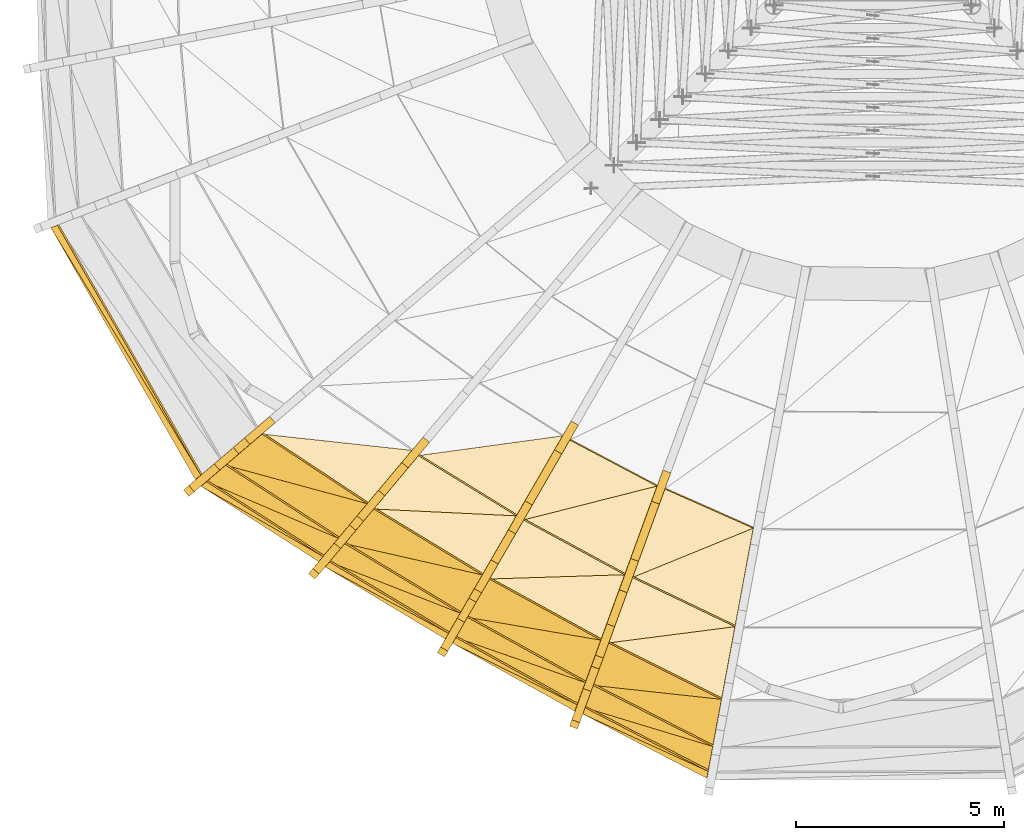
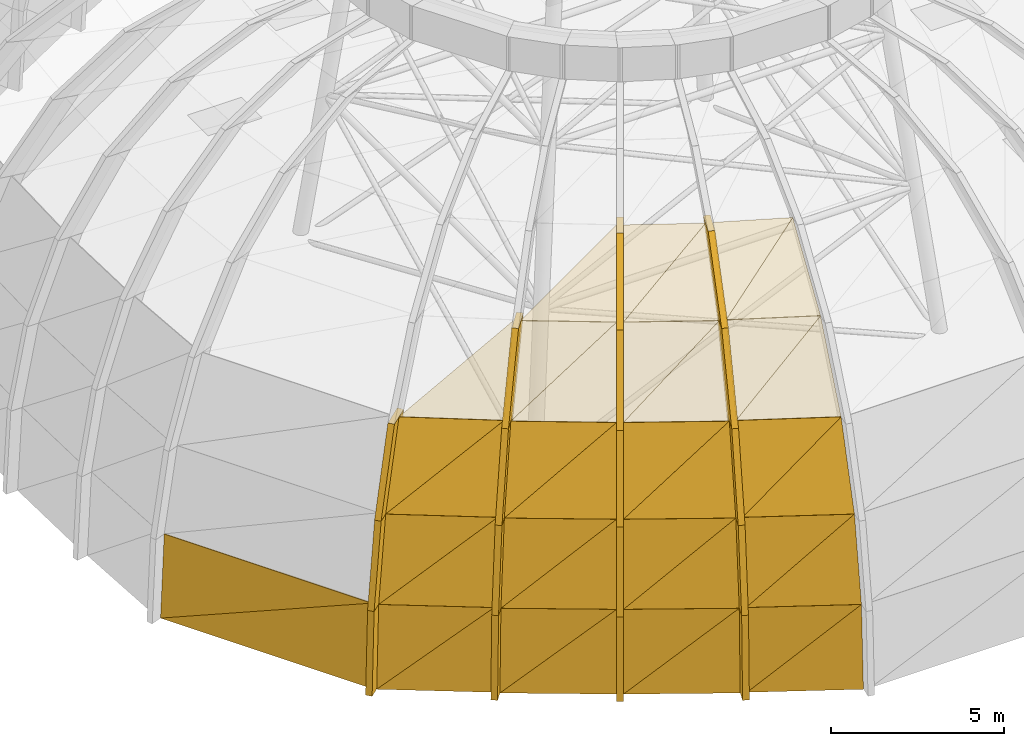
# One storey, part 16 of 27: 38 coverings, 17 shading devices.
"""IFC4 building model written with IfcOpenShell, lengths in metres."""

from ifc_helpers import new_model, si_unit, direction, frame, origin, place, context, subcontext, project, spatial, polyline, outline, extrude, material, layer, layer_set, type_object, element, save


model = new_model("IFC4")

# Units and contexts
model_context = context("Model", 3, precision=1e-05, world=origin(), true_north=direction((0.0, 1.0)))
body_context = subcontext(model_context, "Body", "Model", "MODEL_VIEW")
ifc_project = project(units=[si_unit("LENGTHUNIT", "METRE"), si_unit("AREAUNIT", "SQUARE_METRE"), si_unit("VOLUMEUNIT", "CUBIC_METRE"), si_unit("PLANEANGLEUNIT", "RADIAN"), si_unit("MASSUNIT", "GRAM", prefix="KILO")], contexts=[model_context])

# Site, building, storey
site_placement = place(None, origin())
site = spatial("IfcSite", under=ifc_project, at=site_placement, CompositionType="ELEMENT")
building_placement = place(site_placement, origin())
building = spatial("IfcBuilding", under=site, at=building_placement, Name="Ayvan Gate Tower", CompositionType="ELEMENT")
storey_placement = place(building_placement, frame((0.0, 0.0, 267.699951171875)))
storey = spatial("IfcBuildingStorey", under=building, at=storey_placement, Name="Roof", CompositionType="ELEMENT", Elevation=267.699951171875)

# Shading devices
ifc_material_1 = material(Name="Bronze anodised aluminium", Category="aluminium")
ifc_layer_1 = layer(ifc_material_1, 0.199951171875)
ifc_layer_set_1 = layer_set([ifc_layer_1], Name="Bronze anodised aluminium")
shading_device_type = type_object("IfcShadingDeviceType", Name="Crown frame rib 800 x 200", PredefinedType="USERDEFINED", material=ifc_layer_set_1)
shading_device_1_placement = place(storey_placement, frame((-15.9580078125, -13.500244140625, 0.0), z_axis=(-0.649458195739, 0.760397130961, 0.000505186432), x_axis=(-0.760397227976, -0.649458278634, 5.0073e-08)))
element("IfcShadingDevice", 1, at=shading_device_1_placement, inside=storey, type_object=shading_device_type, Name="CROWN FRAME rib FD01.5.1", ObjectType="FIN", PredefinedType="USERDEFINED", context=body_context, shape_type="SweptSolid", body=[
    extrude(outline(polyline([(0.0, 0.0), (0.7998527128470834, 0.0), (0.6302143858999518, 2.8701175221894792), (-0.16982397080161776, 2.8701176023007062), (0.0, 0.0)])), origin(), (0.0, 0.0, -1.0), 0.199951171875),
])
shading_device_2_placement = place(storey_placement, frame((-15.828857421875, -13.389892578125, 2.8701171875), z_axis=(-0.649458176408, 0.760397108327, 0.000561020631), x_axis=(-0.760397228013, -0.649458278591, -5.5594e-08)))
element("IfcShadingDevice", 2, at=shading_device_2_placement, inside=storey, type_object=shading_device_type, Name="CROWN FRAME rib FD02.5.1", ObjectType="FIN", PredefinedType="USERDEFINED", context=body_context, shape_type="SweptSolid", body=[
    extrude(outline(polyline([(0.0, 0.0), (0.800038356701574, -2.710505431213761e-20), (0.19365127248996467, 2.776855916515497), (-0.606201440357114, 2.7768558275708632), (0.0, 0.0)])), origin(), (0.0, 0.0, -1.0), 0.199951171875),
])
shading_device_3_placement = place(storey_placement, frame((-15.367919921875, -12.99609375, 5.64697265625), z_axis=(-0.649458174906, 0.760397106568, 0.000565128928), x_axis=(-0.760397227972, -0.649458278639, 5.6014e-08)))
element("IfcShadingDevice", 3, at=shading_device_3_placement, inside=storey, type_object=shading_device_type, Name="CROWN FRAME rib FD03.5.1", ObjectType="FIN", PredefinedType="USERDEFINED", context=body_context, shape_type="SweptSolid", body=[
    extrude(outline(polyline([(0.0, 0.0), (0.7998527128470836, 5.421010862427522e-20), (-0.3506084067633145, 2.660156694427176), (-1.1506467634648834, 2.660156784043937), (0.0, 0.0)])), origin(), (0.0, 0.0, -1.0), 0.199951171875),
])
shading_device_4_placement = place(storey_placement, frame((-13.046142578125, -15.41650390625, 0.0), z_axis=(-0.766542698652, 0.642193116765, 0.000540298242), x_axis=(-0.642193210527, -0.766542810516, -6.3185e-08)))
element("IfcShadingDevice", 4, at=shading_device_4_placement, inside=storey, type_object=shading_device_type, Name="CROWN FRAME rib FD01.5.2", ObjectType="FIN", PredefinedType="USERDEFINED", context=body_context, shape_type="SweptSolid", body=[
    extrude(outline(polyline([(0.0, 0.0), (0.800139709026929, 0.0), (0.6401510932739173, 2.8701176468735112), (-0.159831830301223, 2.8701175457697135), (0.0, 0.0)])), origin(), (0.0, 0.0, -1.0), 0.199951171875),
])
shading_device_5_placement = place(storey_placement, frame((-12.943603515625, -15.2939453125, 2.8701171875), z_axis=(-0.766542683228, 0.642193103843, 0.000576339248), x_axis=(-0.642193210471, -0.766542810563, 6.7413e-08)))
element("IfcShadingDevice", 5, at=shading_device_5_placement, inside=storey, type_object=shading_device_type, Name="CROWN FRAME rib FD02.5.2", ObjectType="FIN", PredefinedType="USERDEFINED", context=body_context, shape_type="SweptSolid", body=[
    extrude(outline(polyline([(0.0, 0.0), (0.799982923575147, 2.710505431213761e-20), (0.2292503177404092, 2.776855914485436), (-0.5708893912865127, 2.7768560223545764), (0.0, 0.0)])), origin(), (0.0, 0.0, -1.0), 0.199951171875),
])
shading_device_6_placement = place(storey_placement, frame((-12.576904296875, -14.8564453125, 5.64697265625), z_axis=(-0.766542697248, 0.642193115589, 0.000543678646), x_axis=(-0.642193210474, -0.76654281056, 6.3593e-08)))
element("IfcShadingDevice", 6, at=shading_device_6_placement, inside=storey, type_object=shading_device_type, Name="CROWN FRAME rib FD03.5.2", ObjectType="FIN", PredefinedType="USERDEFINED", context=body_context, shape_type="SweptSolid", body=[
    extrude(outline(polyline([(0.0, 0.0), (0.7999829235751468, -2.710505431213761e-20), (-0.28339871706650516, 2.6601566611753116), (-1.0835384260934278, 2.6601567629316096), (0.0, 0.0)])), origin(), (0.0, 0.0, -1.0), 0.199951171875),
])
shading_device_7_placement = place(storey_placement, frame((-11.881103515625, -14.02587890625, 8.30712890625), z_axis=(-0.766617747004, 0.642103399561, 0.000673980603), x_axis=(-0.642103545399, -0.766617921123, 0.0)))
element("IfcShadingDevice", 7, at=shading_device_7_placement, inside=storey, type_object=shading_device_type, Name="CROWN FRAME rib FD04.5.2", ObjectType="FIN", PredefinedType="USERDEFINED", context=body_context, shape_type="SweptSolid", body=[
    extrude(outline(polyline([(0.0, 0.0), (0.7999829290476004, 5.421010862427522e-20), (-0.8710701374075644, 2.3798833530308934), (-1.671053066455165, 2.3798833530308934), (0.0, 0.0)])), origin(), (0.0, 0.0, -1.0), 0.199951171875),
])
shading_device_8_placement = place(storey_placement, frame((-10.065673828125, -17.234619140625, 0.0), z_axis=(-0.865923708579, 0.500175844356, 0.000505612027), x_axis=(-0.500175908306, -0.865923819253, -3.8593e-08)))
element("IfcShadingDevice", 8, at=shading_device_8_placement, inside=storey, type_object=shading_device_type, Name="CROWN FRAME rib FD01.5.3", ObjectType="FIN", PredefinedType="USERDEFINED", context=body_context, shape_type="SweptSolid", body=[
    extrude(outline(polyline([(0.0, 0.0), (0.7999058078455126, 0.0), (0.6434000099847206, 2.870117579194404), (-0.1567172050432269, 2.8701175174443128), (0.0, 0.0)])), origin(), (0.0, 0.0, -1.0), 0.199951171875),
])
shading_device_9_placement = place(storey_placement, frame((-9.987548828125, -17.098876953125, 2.8701171875), z_axis=(-0.866027918934, 0.499995329519, 0.000560433294), x_axis=(-0.499995408003, -0.866028054959, 7.4059e-08)))
element("IfcShadingDevice", 9, at=shading_device_9_placement, inside=storey, type_object=shading_device_type, Name="CROWN FRAME rib FD02.5.3", ObjectType="FIN", PredefinedType="USERDEFINED", context=body_context, shape_type="SweptSolid", body=[
    extrude(outline(polyline([(0.0, 0.0), (0.7999951411822004, 0.0), (0.24097916811733316, 2.776855886988391), (-0.5591380422562743, 2.7768560054913167), (0.0, 0.0)])), origin(), (0.0, 0.0, -1.0), 0.199951171875),
])
shading_device_10_placement = place(storey_placement, frame((-9.7080078125, -16.61474609375, 5.64697265625), z_axis=(-0.866093951176, 0.499880863998, 0.00062413519), x_axis=(-0.499880961361, -0.866094119867, 0.0)))
element("IfcShadingDevice", 10, at=shading_device_10_placement, inside=storey, type_object=shading_device_type, Name="CROWN FRAME rib FD03.5.3", ObjectType="FIN", PredefinedType="USERDEFINED", context=body_context, shape_type="SweptSolid", body=[
    extrude(outline(polyline([(0.0, 0.0), (0.7999951481672026, 0.0), (-0.2608580316534762, 2.6601567681250824), (-1.0608531798206788, 2.6601567681250824), (0.0, 0.0)])), origin(), (0.0, 0.0, -1.0), 0.199951171875),
])
shading_device_11_placement = place(storey_placement, frame((-9.177490234375, -15.696044921875, 8.30712890625), z_axis=(-0.86609390899, 0.49988083965, 0.000697825991), x_axis=(-0.499880961361, -0.866094119867, 0.0)))
element("IfcShadingDevice", 11, at=shading_device_11_placement, inside=storey, type_object=shading_device_type, Name="CROWN FRAME rib FD04.5.3", ObjectType="FIN", PredefinedType="USERDEFINED", context=body_context, shape_type="SweptSolid", body=[
    extrude(outline(polyline([(0.0, 0.0), (0.7999951481672026, -2.710505431213761e-20), (-0.8361895431604398, 2.3798833919554045), (-1.6361846913276425, 2.3798833919554045), (0.0, 0.0)])), origin(), (0.0, 0.0, -1.0), 0.199951171875),
])
shading_device_12_placement = place(storey_placement, frame((-8.359375, -14.279052734375, 10.68701171875), z_axis=(-0.866093760015, 0.499880753666, 0.000911579543), x_axis=(-0.499880961361, -0.866094119867, 0.0)))
element("IfcShadingDevice", 12, at=shading_device_12_placement, inside=storey, type_object=shading_device_type, Name="CROWN FRAME rib FD05.5.3", ObjectType="FIN", PredefinedType="USERDEFINED", context=body_context, shape_type="SweptSolid", body=[
    extrude(outline(polyline([(0.0, 0.0), (0.7999951481672025, 0.0), (-1.416336096086191, 1.8659675721634736), (-2.216331244253394, 1.8659675721634736), (0.0, 0.0)])), origin(), (0.0, 0.0, -1.0), 0.199951171875),
])
shading_device_13_placement = place(storey_placement, frame((-7.015869140625, -18.938232421875, 0.0), z_axis=(-0.939427366999, 0.342747541631, 0.000587230245), x_axis=(-0.342747600727, -0.939427528975, 0.0)))
element("IfcShadingDevice", 13, at=shading_device_13_placement, inside=storey, type_object=shading_device_type, Name="CROWN FRAME rib FD01.5.4", ObjectType="FIN", PredefinedType="USERDEFINED", context=body_context, shape_type="SweptSolid", body=[
    extrude(outline(polyline([(0.0, 0.0), (0.7999178441897365, 0.0), (0.6399950485282246, 2.8701176823648153), (-0.15992279566151185, 2.8701176823648153), (0.0, 0.0)])), origin(), (0.0, 0.0, -1.0), 0.199951171875),
])
shading_device_14_placement = place(storey_placement, frame((-6.9609375, -18.7880859375, 2.8701171875), z_axis=(-0.939427407379, 0.342747556363, 0.000508794754), x_axis=(-0.342747600727, -0.939427528975, 0.0)))
element("IfcShadingDevice", 14, at=shading_device_14_placement, inside=storey, type_object=shading_device_type, Name="CROWN FRAME rib FD02.5.4", ObjectType="FIN", PredefinedType="USERDEFINED", context=body_context, shape_type="SweptSolid", body=[
    extrude(outline(polyline([(0.0, 0.0), (0.7999178441897365, 2.710505431213761e-20), (0.22896063230336086, 2.776855828175276), (-0.5709572118863757, 2.776855828175276), (0.0, 0.0)])), origin(), (0.0, 0.0, -1.0), 0.199951171875),
])
shading_device_15_placement = place(storey_placement, frame((-6.765380859375, -18.251708984375, 5.64697265625), z_axis=(-0.939427373111, 0.342747543861, 0.000576044739), x_axis=(-0.342747600727, -0.939427528975, 0.0)))
element("IfcShadingDevice", 15, at=shading_device_15_placement, inside=storey, type_object=shading_device_type, Name="CROWN FRAME rib FD03.5.4", ObjectType="FIN", PredefinedType="USERDEFINED", context=body_context, shape_type="SweptSolid", body=[
    extrude(outline(polyline([(0.0, 0.0), (0.7999178441897365, -2.710505431213761e-20), (-0.28357094964535534, 2.660156691356664), (-1.083488793835092, 2.660156691356664), (0.0, 0.0)])), origin(), (0.0, 0.0, -1.0), 0.199951171875),
])
shading_device_16_placement = place(storey_placement, frame((-6.39404296875, -17.23388671875, 8.30712890625), z_axis=(-0.939427329532, 0.342747527961, 0.000651617698), x_axis=(-0.342747600727, -0.939427528975, 0.0)))
element("IfcShadingDevice", 16, at=shading_device_16_placement, inside=storey, type_object=shading_device_type, Name="CROWN FRAME rib FD04.5.4", ObjectType="FIN", PredefinedType="USERDEFINED", context=body_context, shape_type="SweptSolid", body=[
    extrude(outline(polyline([(0.0, 0.0), (0.7999178441897364, 0.0), (-0.871171636562353, 2.3798833177559757), (-1.6710894807520895, 2.3798833177559757), (0.0, 0.0)])), origin(), (0.0, 0.0, -1.0), 0.199951171875),
])
shading_device_17_placement = place(storey_placement, frame((-5.8212890625, -15.6640625, 10.68701171875), z_axis=(-0.939396092101, 0.342833038647, 0.000699826663), x_axis=(-0.342833122558, -0.939396322154, 6.3711e-08)))
element("IfcShadingDevice", 17, at=shading_device_17_placement, inside=storey, type_object=shading_device_type, Name="CROWN FRAME rib FD05.5.4", ObjectType="FIN", PredefinedType="USERDEFINED", context=body_context, shape_type="SweptSolid", body=[
    extrude(outline(polyline([(0.0, 0.0), (0.7999178408749357, 5.421010862427522e-20), (-1.463402744857527, 1.865967347044906), (-2.263633630030488, 1.8659674489913232), (0.0, 0.0)])), origin(), (0.0, 0.0, -1.0), 0.199951171875),
])

# Coverings
ifc_material_2 = material(Name="Pale metal cladding")
ifc_layer_2 = layer(ifc_material_2, 0.0400390625)
ifc_layer_set_2 = layer_set([ifc_layer_2], Name="Pale metal cladding")
covering_type = type_object("IfcCoveringType", Name="Dome cladding panel 40", PredefinedType="CLADDING", material=ifc_layer_set_2)
covering_1_placement = place(storey_placement, frame((-19.751953125, -7.716796875, 0.001220703125), z_axis=(-0.865949539583, -0.496749225679, 0.058065494764), x_axis=(0.497588769495, -0.867413059893, 0.0)))
element("IfcCovering", 18, at=covering_1_placement, inside=storey, type_object=covering_type, Name="Dome cladding panel 3.1A", PredefinedType="CLADDING", context=body_context, shape_type="SweptSolid", body=[
    extrude(outline(polyline([(0.0, 0.0), (6.9784776551531955, -2.7755575615628914e-17), (6.947021052611991, 2.8749679029311364), (0.0, 0.0)])), origin(), (0.0, 0.0, -1.0), 0.0400390625),
])
covering_2_placement = place(storey_placement, frame((-19.751953125, -7.716796875, 0.001220703125), z_axis=(-0.865903294704, -0.496864395619, 0.057768993307), x_axis=(0.479032243642, -0.79044216884, 0.381745055332)))
element("IfcCovering", 19, at=covering_2_placement, inside=storey, type_object=covering_type, Name="Dome cladding panel 3.1B", PredefinedType="CLADDING", context=body_context, shape_type="SweptSolid", body=[
    extrude(outline(polyline([(0.0, 0.0), (7.518413526025187, 4.440892098500626e-16), (1.1228769318912675, 2.6466871516465327), (0.0, 0.0)])), origin(), (0.0, 0.0, -1.0), 0.0400390625),
])
covering_3_placement = place(storey_placement, frame((-16.14306640625, -13.928955078125, 0.001220703125), z_axis=(-0.538318680562, -0.840932444102, 0.055187159872), x_axis=(0.842215958106, -0.539140315605, 0.0)))
element("IfcCovering", 20, at=covering_3_placement, inside=storey, type_object=covering_type, Name="Dome cladding panel 4.1A", PredefinedType="CLADDING", context=body_context, shape_type="SweptSolid", body=[
    extrude(outline(polyline([(0.0, 0.0), (3.3591165487540624, 0.0), (3.3796059237367224, 2.8744978433184367), (0.0, 0.0)])), origin(), (0.0, 0.0, -1.0), 0.0400390625),
])
covering_4_placement = place(storey_placement, frame((-16.14306640625, -13.928955078125, 0.001220703125), z_axis=(-0.539269976882, -0.840230637161, 0.056571798721), x_axis=(0.660822754927, -0.380568754523, 0.646900849939)))
element("IfcCovering", 21, at=covering_4_placement, inside=storey, type_object=covering_type, Name="Dome cladding panel 4.1B", PredefinedType="CLADDING", context=body_context, shape_type="SweptSolid", body=[
    extrude(outline(polyline([(0.0, 0.0), (4.436718838398337, 0.0), (1.9000304082504291, 2.157849486978042), (0.0, 0.0)])), origin(), (0.0, 0.0, -1.0), 0.0400390625),
])
covering_5_placement = place(storey_placement, frame((-16.013671875, -13.818359375, 2.8740234375), z_axis=(-0.529243156979, -0.824607959028, 0.199808394967), x_axis=(0.841578396815, -0.540134984994, 0.0)))
element("IfcCovering", 22, at=covering_5_placement, inside=storey, type_object=covering_type, Name="Dome cladding panel 4.2A", PredefinedType="CLADDING", context=body_context, shape_type="SweptSolid", body=[
    extrude(outline(polyline([(0.0, 0.0), (3.3303307043141612, 0.0), (3.402627789008143, 2.834003174469534), (0.0, 0.0)])), origin(), (0.0, 0.0, -1.0), 0.0400390625),
])
covering_6_placement = place(storey_placement, frame((-16.013916015625, -13.818115234375, 2.874267578125), z_axis=(-0.532309390128, -0.821381007746, 0.204890100532), x_axis=(0.71572955626, -0.307418580011, 0.627076565468)))
element("IfcCovering", 23, at=covering_6_placement, inside=storey, type_object=covering_type, Name="Dome cladding panel 4.2B", PredefinedType="CLADDING", context=body_context, shape_type="SweptSolid", body=[
    extrude(outline(polyline([(0.0, 0.0), (4.428255848913185, 0.0), (1.9503212445923672, 2.0675926484442364), (0.0, 0.0)])), origin(), (0.0, 0.0, -1.0), 0.0400390625),
])
covering_7_placement = place(storey_placement, frame((-15.552001953125, -13.423583984375, 5.654541015625), z_axis=(-0.504204472434, -0.778013661526, 0.374796734852), x_axis=(0.839184315658, -0.543847114871, 0.0)))
element("IfcCovering", 24, at=covering_7_placement, inside=storey, type_object=covering_type, Name="Dome cladding panel 4.3A", PredefinedType="CLADDING", context=body_context, shape_type="SweptSolid", body=[
    extrude(outline(polyline([(0.0, 0.0), (3.2272432916021723, 1.1102230246251565e-16), (3.359447250301814, 2.869308744296674), (0.0, 0.0)])), origin(), (0.0, 0.0, -1.0), 0.0400390625),
])
covering_8_placement = place(storey_placement, frame((-15.55224609375, -13.42333984375, 5.654541015625), z_axis=(-0.509185131058, -0.770320963459, 0.383843868734), x_axis=(0.770494453201, -0.209270780626, 0.602116299367)))
element("IfcCovering", 25, at=covering_8_placement, inside=storey, type_object=covering_type, Name="Dome cladding panel 4.3B", PredefinedType="CLADDING", context=body_context, shape_type="SweptSolid", body=[
    extrude(outline(polyline([(0.0, 0.0), (4.418010694606542, -8.881784197001252e-16), (2.119326895562237, 1.9770082168572307), (0.0, 0.0)])), origin(), (0.0, 0.0, -1.0), 0.0400390625),
])
covering_9_placement = place(storey_placement, frame((-14.67626953125, -12.67431640625, 8.318603515625), z_axis=(-0.452244096763, -0.684177693117, 0.572167948406), x_axis=(0.834224197273, -0.551425415341, 0.0)))
element("IfcCovering", 26, at=covering_9_placement, inside=storey, type_object=covering_type, Name="Dome cladding panel 4.4A", PredefinedType="CLADDING", context=body_context, shape_type="SweptSolid", body=[
    extrude(outline(polyline([(0.0, 0.0), (3.031915021485557, 0.0), (3.2206567677562283, 2.9018131529783675), (0.0, 0.0)])), origin(), (0.0, 0.0, -1.0), 0.0400390625),
])
covering_10_placement = place(storey_placement, frame((-13.16015625, -15.86865234375, 0.0009765625), z_axis=(-0.513497150103, -0.856360154054, 0.054479017837), x_axis=(0.857633812676, -0.514260870916, 0.0)))
element("IfcCovering", 27, at=covering_10_placement, inside=storey, type_object=covering_type, Name="Dome cladding panel 5.1A", PredefinedType="CLADDING", context=body_context, shape_type="SweptSolid", body=[
    extrude(outline(polyline([(0.0, 0.0), (3.3630639337207215, 1.3877787807814457e-17), (3.3602596797722963, 2.874385893236152), (0.0, 0.0)])), origin(), (0.0, 0.0, -1.0), 0.0400390625),
])
covering_11_placement = place(storey_placement, frame((-13.16015625, -15.86865234375, 0.001220703125), z_axis=(-0.513836379149, -0.856125961447, 0.05495919941), x_axis=(0.669934684382, -0.360419780752, 0.649064788989)))
element("IfcCovering", 28, at=covering_11_placement, inside=storey, type_object=covering_type, Name="Dome cladding panel 5.1B", PredefinedType="CLADDING", context=body_context, shape_type="SweptSolid", body=[
    extrude(outline(polyline([(0.0, 0.0), (4.421927111423074, -4.440892098500626e-16), (1.8875774979346778, 2.167996507151288), (0.0, 0.0)])), origin(), (0.0, 0.0, -1.0), 0.0400390625),
])
covering_12_placement = place(storey_placement, frame((-13.05712890625, -15.745849609375, 2.8740234375), z_axis=(-0.504494922421, -0.840561739163, 0.19733432521), x_axis=(0.857421867969, -0.514614166467, 0.0)))
element("IfcCovering", 29, at=covering_12_placement, inside=storey, type_object=covering_type, Name="Dome cladding panel 5.2A", PredefinedType="CLADDING", context=body_context, shape_type="SweptSolid", body=[
    extrude(outline(polyline([(0.0, 0.0), (3.335136701607442, -5.551115123125783e-17), (3.325680682740604, 2.8325541030048846), (0.0, 0.0)])), origin(), (0.0, 0.0, -1.0), 0.0400390625),
])
covering_13_placement = place(storey_placement, frame((-13.05712890625, -15.745849609375, 2.8740234375), z_axis=(-0.505582307571, -0.83950763047, 0.199031325811), x_axis=(0.718595165383, -0.28206173586, 0.635658843604)))
element("IfcCovering", 30, at=covering_13_placement, inside=storey, type_object=covering_type, Name="Dome cladding panel 5.2B", PredefinedType="CLADDING", context=body_context, shape_type="SweptSolid", body=[
    extrude(outline(polyline([(0.0, 0.0), (4.368468238410784, 0.0), (1.9052390124263692, 2.099253478474487), (0.0, 0.0)])), origin(), (0.0, 0.0, -1.0), 0.0400390625),
])
covering_14_placement = place(storey_placement, frame((-12.68994140625, -15.307373046875, 5.654296875), z_axis=(-0.479213476877, -0.795722802079, 0.370377733983), x_axis=(0.856646446083, -0.515903931381, 0.0)))
element("IfcCovering", 31, at=covering_14_placement, inside=storey, type_object=covering_type, Name="Dome cladding panel 5.3A", PredefinedType="CLADDING", context=body_context, shape_type="SweptSolid", body=[
    extrude(outline(polyline([(0.0, 0.0), (3.2364121163150736, -1.1102230246251565e-16), (3.2169165678658604, 2.86382819699591), (0.0, 0.0)])), origin(), (0.0, 0.0, -1.0), 0.0400390625),
])
covering_15_placement = place(storey_placement, frame((-12.68994140625, -15.307373046875, 5.654541015625), z_axis=(-0.481116790564, -0.793122291823, 0.373475118382), x_axis=(0.766889940297, -0.174362736075, 0.617638612572)))
element("IfcCovering", 32, at=covering_15_placement, inside=storey, type_object=covering_type, Name="Dome cladding panel 5.3B", PredefinedType="CLADDING", context=body_context, shape_type="SweptSolid", body=[
    extrude(outline(polyline([(0.0, 0.0), (4.306978540290015, -2.220446049250313e-16), (2.0317980039796177, 2.0303220010179803), (0.0, 0.0)])), origin(), (0.0, 0.0, -1.0), 0.0400390625),
])
covering_16_placement = place(storey_placement, frame((-11.9931640625, -14.47509765625, 8.318359375), z_axis=(-0.427414842747, -0.704594489919, 0.566447841355), x_axis=(0.854989136944, -0.518645905901, 0.0)))
element("IfcCovering", 33, at=covering_16_placement, inside=storey, type_object=covering_type, Name="Dome cladding panel 5.4A", PredefinedType="CLADDING", context=body_context, shape_type="SweptSolid", body=[
    extrude(outline(polyline([(0.0, 0.0), (3.04936942672142, -2.220446049250313e-16), (3.0139318681390197, 2.887865262928159), (0.0, 0.0)])), origin(), (0.0, 0.0, -1.0), 0.0400390625),
])
covering_17_placement = place(storey_placement, frame((-11.9931640625, -14.474853515625, 8.318603515625), z_axis=(-0.430002904497, -0.699726057225, 0.570509375002), x_axis=(0.820595982827, -0.039421360829, 0.570147515367)))
element("IfcCovering", 34, at=covering_17_placement, inside=storey, type_object=covering_type, Name="Dome cladding panel 5.4B", PredefinedType="CLADDING", context=body_context, shape_type="SweptSolid", body=[
    extrude(outline(polyline([(0.0, 0.0), (4.174152738294453, -2.220446049250313e-16), (2.1868831650516407, 1.9166859534094978), (0.0, 0.0)])), origin(), (0.0, 0.0, -1.0), 0.0400390625),
])
covering_18_placement = place(storey_placement, frame((-10.91845703125, -13.19091796875, 10.702392578125), z_axis=(-0.3372778393, -0.548838368799, 0.764866069355), x_axis=(0.85198301371, -0.523569426484, 0.0)))
element("IfcCovering", 35, at=covering_18_placement, inside=storey, type_object=covering_type, Name="Dome cladding panel 5.5A", PredefinedType="CLADDING", context=body_context, shape_type="SweptSolid", body=[
    extrude(outline(polyline([(0.0, 0.0), (2.760964577957122, 1.1102230246251565e-16), (2.700136469609835, 2.8966123825554235), (0.0, 0.0)])), origin(), (0.0, 0.0, -1.0), 0.0400390625),
])
covering_19_placement = place(storey_placement, frame((-10.102294921875, -17.698486328125, 0.0009765625), z_axis=(-0.484885860523, -0.87285254097, 0.054901220267), x_axis=(0.874170973799, -0.48561827454, 0.0)))
element("IfcCovering", 36, at=covering_19_placement, inside=storey, type_object=covering_type, Name="Dome cladding panel 6.1A", PredefinedType="CLADDING", context=body_context, shape_type="SweptSolid", body=[
    extrude(outline(polyline([(0.0, 0.0), (3.362840169412235, -1.3877787807814457e-17), (3.3377325178713706, 2.8744524635560484), (0.0, 0.0)])), origin(), (0.0, 0.0, -1.0), 0.0400390625),
])
covering_20_placement = place(storey_placement, frame((-10.102294921875, -17.698486328125, 0.0009765625), z_axis=(-0.484556312291, -0.873063900136, 0.054448200138), x_axis=(0.679788614565, -0.336651940063, 0.651577248498)))
element("IfcCovering", 37, at=covering_20_placement, inside=storey, type_object=covering_type, Name="Dome cladding panel 6.1B", PredefinedType="CLADDING", context=body_context, shape_type="SweptSolid", body=[
    extrude(outline(polyline([(0.0, 0.0), (4.404876312236178, -4.440892098500626e-16), (1.8777618290724594, 2.1762547245602017), (0.0, 0.0)])), origin(), (0.0, 0.0, -1.0), 0.0400390625),
])
covering_21_placement = place(storey_placement, frame((-10.023681640625, -17.5625, 2.8740234375), z_axis=(-0.47556597438, -0.856865288579, 0.199044922671), x_axis=(0.874360930193, -0.48527617266, 0.0)))
element("IfcCovering", 38, at=covering_21_placement, inside=storey, type_object=covering_type, Name="Dome cladding panel 6.2A", PredefinedType="CLADDING", context=body_context, shape_type="SweptSolid", body=[
    extrude(outline(polyline([(0.0, 0.0), (3.335025072947193, 0.0), (3.2459346712579733, 2.8335538421627717), (0.0, 0.0)])), origin(), (0.0, 0.0, -1.0), 0.0400390625),
])
covering_22_placement = place(storey_placement, frame((-10.023681640625, -17.5625, 2.8740234375), z_axis=(-0.474370268345, -0.857933570279, 0.197288716094), x_axis=(0.722212655479, -0.251125567949, 0.644472520274)))
element("IfcCovering", 39, at=covering_22_placement, inside=storey, type_object=covering_type, Name="Dome cladding panel 6.2B", PredefinedType="CLADDING", context=body_context, shape_type="SweptSolid", body=[
    extrude(outline(polyline([(0.0, 0.0), (4.308725944697574, -4.440892098500626e-16), (1.869741143120786, 2.1277649741999465), (0.0, 0.0)])), origin(), (0.0, 0.0, -1.0), 0.0400390625),
])
covering_23_placement = place(storey_placement, frame((-9.743896484375, -17.07763671875, 5.654541015625), z_axis=(-0.44890143852, -0.811871315621, 0.373299431242), x_axis=(0.875133951621, -0.48388073605, 0.0)))
element("IfcCovering", 40, at=covering_23_placement, inside=storey, type_object=covering_type, Name="Dome cladding panel 6.3A", PredefinedType="CLADDING", context=body_context, shape_type="SweptSolid", body=[
    extrude(outline(polyline([(0.0, 0.0), (3.2366696846843466, 0.0), (3.0691354932351858, 2.8674409431626264), (0.0, 0.0)])), origin(), (0.0, 0.0, -1.0), 0.0400390625),
])
covering_24_placement = place(storey_placement, frame((-9.743896484375, -17.07763671875, 5.654296875), z_axis=(-0.446923170652, -0.814277657012, 0.370420810464), x_axis=(0.762784057772, -0.130550407205, 0.633338039586)))
element("IfcCovering", 41, at=covering_24_placement, inside=storey, type_object=covering_type, Name="Dome cladding panel 6.3B", PredefinedType="CLADDING", context=body_context, shape_type="SweptSolid", body=[
    extrude(outline(polyline([(0.0, 0.0), (4.2002154990382765, 2.220446049250313e-16), (1.9694798105830627, 2.079300348238586), (0.0, 0.0)])), origin(), (0.0, 0.0, -1.0), 0.0400390625),
])
covering_25_placement = place(storey_placement, frame((-9.212158203125, -16.15673828125, 8.318603515625), z_axis=(-0.395276112788, -0.720178608157, 0.570175031909), x_axis=(0.876638144312, -0.481150250896, 0.0)))
element("IfcCovering", 42, at=covering_25_placement, inside=storey, type_object=covering_type, Name="Dome cladding panel 6.4A", PredefinedType="CLADDING", context=body_context, shape_type="SweptSolid", body=[
    extrude(outline(polyline([(0.0, 0.0), (3.0495363008058884, 0.0), (2.7963129056136484, 2.896914777527794), (0.0, 0.0)])), origin(), (0.0, 0.0, -1.0), 0.0400390625),
])
covering_26_placement = place(storey_placement, frame((-9.212158203125, -16.15673828125, 8.318359375), z_axis=(-0.392359558088, -0.724742905867, 0.566393588922), x_axis=(0.806212841497, 0.025467012141, 0.591077224648)))
element("IfcCovering", 43, at=covering_26_placement, inside=storey, type_object=covering_type, Name="Dome cladding panel 6.4B", PredefinedType="CLADDING", context=body_context, shape_type="SweptSolid", body=[
    extrude(outline(polyline([(0.0, 0.0), (4.026348357303471, 0.0), (2.102356092820176, 1.9801819250683232), (0.0, 0.0)])), origin(), (0.0, 0.0, -1.0), 0.0400390625),
])
covering_27_placement = place(storey_placement, frame((-8.392333984375, -14.736572265625, 10.702392578125), z_axis=(-0.30477364677, -0.562959494266, 0.76823800482), x_axis=(0.879398412069, -0.476086581255, 0.0)))
element("IfcCovering", 44, at=covering_27_placement, inside=storey, type_object=covering_type, Name="Dome cladding panel 6.5A", PredefinedType="CLADDING", context=body_context, shape_type="SweptSolid", body=[
    extrude(outline(polyline([(0.0, 0.0), (2.760953945678711, -1.1102230246251565e-16), (2.4306645492953463, 2.9148246985071884), (0.0, 0.0)])), origin(), (0.0, 0.0, -1.0), 0.0400390625),
])
covering_28_placement = place(storey_placement, frame((-8.392333984375, -14.73681640625, 10.702392578125), z_axis=(-0.301019385162, -0.569713204596, 0.764731452385), x_axis=(0.84409923447, 0.213951688298, 0.491651459309)))
element("IfcCovering", 45, at=covering_28_placement, inside=storey, type_object=covering_type, Name="Dome cladding panel 6.5B", PredefinedType="CLADDING", context=body_context, shape_type="SweptSolid", body=[
    extrude(outline(polyline([(0.0, 0.0), (3.795304095092865, 0.0), (2.263411316033601, 1.808340511120555), (0.0, 0.0)])), origin(), (0.0, 0.0, -1.0), 0.0400390625),
])
covering_29_placement = place(storey_placement, frame((-6.974365234375, -19.400390625, 0.001220703125), z_axis=(-0.459022442913, -0.886625866259, 0.056506372944), x_axis=(0.888044749982, -0.459757024993, 0.0)))
element("IfcCovering", 46, at=covering_29_placement, inside=storey, type_object=covering_type, Name="Dome cladding panel 7.1A", PredefinedType="CLADDING", context=body_context, shape_type="SweptSolid", body=[
    extrude(outline(polyline([(0.0, 0.0), (3.3592387060861446, 0.0), (3.3097806576004962, 2.874710288959461), (0.0, 0.0)])), origin(), (0.0, 0.0, -1.0), 0.0400390625),
])
covering_30_placement = place(storey_placement, frame((-6.974365234375, -19.400390625, 0.001220703125), z_axis=(-0.45803177403, -0.887221528088, 0.055180196404), x_axis=(0.687496023452, -0.314204338948, 0.654694471584)))
element("IfcCovering", 47, at=covering_30_placement, inside=storey, type_object=covering_type, Name="Dome cladding panel 7.1B", PredefinedType="CLADDING", context=body_context, shape_type="SweptSolid", body=[
    extrude(outline(polyline([(0.0, 0.0), (4.383903197708152, 0.0), (1.8696384630780825, 2.1834802814025736), (0.0, 0.0)])), origin(), (0.0, 0.0, -1.0), 0.0400390625),
])
covering_31_placement = place(storey_placement, frame((-6.919189453125, -19.249755859375, 2.874267578125), z_axis=(-0.449024231847, -0.869773643917, 0.204624161726), x_axis=(0.888575350561, -0.458730690467, 0.0)))
element("IfcCovering", 48, at=covering_31_placement, inside=storey, type_object=covering_type, Name="Dome cladding panel 7.2A", PredefinedType="CLADDING", context=body_context, shape_type="SweptSolid", body=[
    extrude(outline(polyline([(0.0, 0.0), (3.330032026134025, 0.0), (3.154813346369384, 2.836882146128807), (0.0, 0.0)])), origin(), (0.0, 0.0, -1.0), 0.0400390625),
])
covering_32_placement = place(storey_placement, frame((-6.919189453125, -19.249755859375, 2.8740234375), z_axis=(-0.445639862528, -0.872600209859, 0.199934956123), x_axis=(0.723491939294, -0.219527698115, 0.654497519886)))
element("IfcCovering", 49, at=covering_32_placement, inside=storey, type_object=covering_type, Name="Dome cladding panel 7.2B", PredefinedType="CLADDING", context=body_context, shape_type="SweptSolid", body=[
    extrude(outline(polyline([(0.0, 0.0), (4.242728787166907, 4.440892098500626e-16), (1.8411790727048016, 2.1556735727138427), (0.0, 0.0)])), origin(), (0.0, 0.0, -1.0), 0.0400390625),
])
covering_33_placement = place(storey_placement, frame((-6.722900390625, -18.71240234375, 5.654541015625), z_axis=(-0.420142059025, -0.82267337306, 0.383000223886), x_axis=(0.890581793775, -0.454823117922, 0.0)))
element("IfcCovering", 50, at=covering_33_placement, inside=storey, type_object=covering_type, Name="Dome cladding panel 7.3A", PredefinedType="CLADDING", context=body_context, shape_type="SweptSolid", body=[
    extrude(outline(polyline([(0.0, 0.0), (3.2271302395673285, 1.1102230246251565e-16), (2.8993371322438133, 2.87974158691351), (0.0, 0.0)])), origin(), (0.0, 0.0, -1.0), 0.0400390625),
])
covering_34_placement = place(storey_placement, frame((-6.722900390625, -18.712646484375, 5.654541015625), z_axis=(-0.414125933404, -0.829296885386, 0.375188468866), x_axis=(0.75462585026, -0.082327165043, 0.650970094563)))
element("IfcCovering", 51, at=covering_34_placement, inside=storey, type_object=covering_type, Name="Dome cladding panel 7.3B", PredefinedType="CLADDING", context=body_context, shape_type="SweptSolid", body=[
    extrude(outline(polyline([(0.0, 0.0), (4.086449242778738, 0.0), (1.9280888160102607, 2.1291443888423416), (0.0, 0.0)])), origin(), (0.0, 0.0, -1.0), 0.0400390625),
])
covering_35_placement = place(storey_placement, frame((-6.3505859375, -17.692626953125, 8.31884765625), z_axis=(-0.363128835077, -0.727174001029, 0.582542205649), x_axis=(0.894652552311, -0.446762588679, 0.0)))
element("IfcCovering", 52, at=covering_35_placement, inside=storey, type_object=covering_type, Name="Dome cladding panel 7.4A", PredefinedType="CLADDING", context=body_context, shape_type="SweptSolid", body=[
    extrude(outline(polyline([(0.0, 0.0), (3.03179411576364, 1.1102230246251565e-16), (2.5418764065538233, 2.9280037919277806), (0.0, 0.0)])), origin(), (0.0, 0.0, -1.0), 0.0400390625),
])
covering_36_placement = place(storey_placement, frame((-6.350341796875, -17.69287109375, 8.318603515625), z_axis=(-0.353922649792, -0.739353941284, 0.572795345191), x_axis=(0.783030276259, 0.100680718216, 0.613780888788)))
element("IfcCovering", 53, at=covering_36_placement, inside=storey, type_object=covering_type, Name="Dome cladding panel 7.4B", PredefinedType="CLADDING", context=body_context, shape_type="SweptSolid", body=[
    extrude(outline(polyline([(0.0, 0.0), (3.8774143280978413, 0.0), (2.067236686870813, 2.044994704262045), (0.0, 0.0)])), origin(), (0.0, 0.0, -1.0), 0.0400390625),
])
covering_37_placement = place(storey_placement, frame((-5.77587890625, -16.11962890625, 10.70263671875), z_axis=(-0.27052993769, -0.565144321179, 0.779375037484), x_axis=(0.901982884459, -0.43177178711, 0.0)))
element("IfcCovering", 54, at=covering_37_placement, inside=storey, type_object=covering_type, Name="Dome cladding panel 7.5A", PredefinedType="CLADDING", context=body_context, shape_type="SweptSolid", body=[
    extrude(outline(polyline([(0.0, 0.0), (2.7310705654116774, -1.1102230246251565e-16), (2.1058451275688905, 2.978124437733543), (0.0, 0.0)])), origin(), (0.0, 0.0, -1.0), 0.0400390625),
])
covering_38_placement = place(storey_placement, frame((-5.775634765625, -16.1201171875, 10.702392578125), z_axis=(-0.258083209665, -0.582309019579, 0.770914562456), x_axis=(0.795520251016, 0.324700777255, 0.511582774801)))
element("IfcCovering", 55, at=covering_38_placement, inside=storey, type_object=covering_type, Name="Dome cladding panel 7.5B", PredefinedType="CLADDING", context=body_context, shape_type="SweptSolid", body=[
    extrude(outline(polyline([(0.0, 0.0), (3.6474386722646024, -2.220446049250313e-16), (2.2622886414619843, 1.8675446443446666), (0.0, 0.0)])), origin(), (0.0, 0.0, -1.0), 0.0400390625),
])

save(model, "model.ifc")
